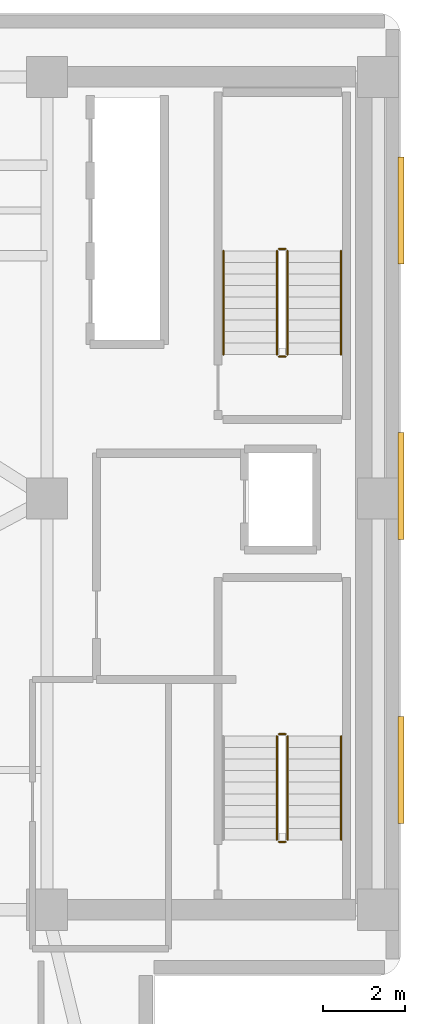
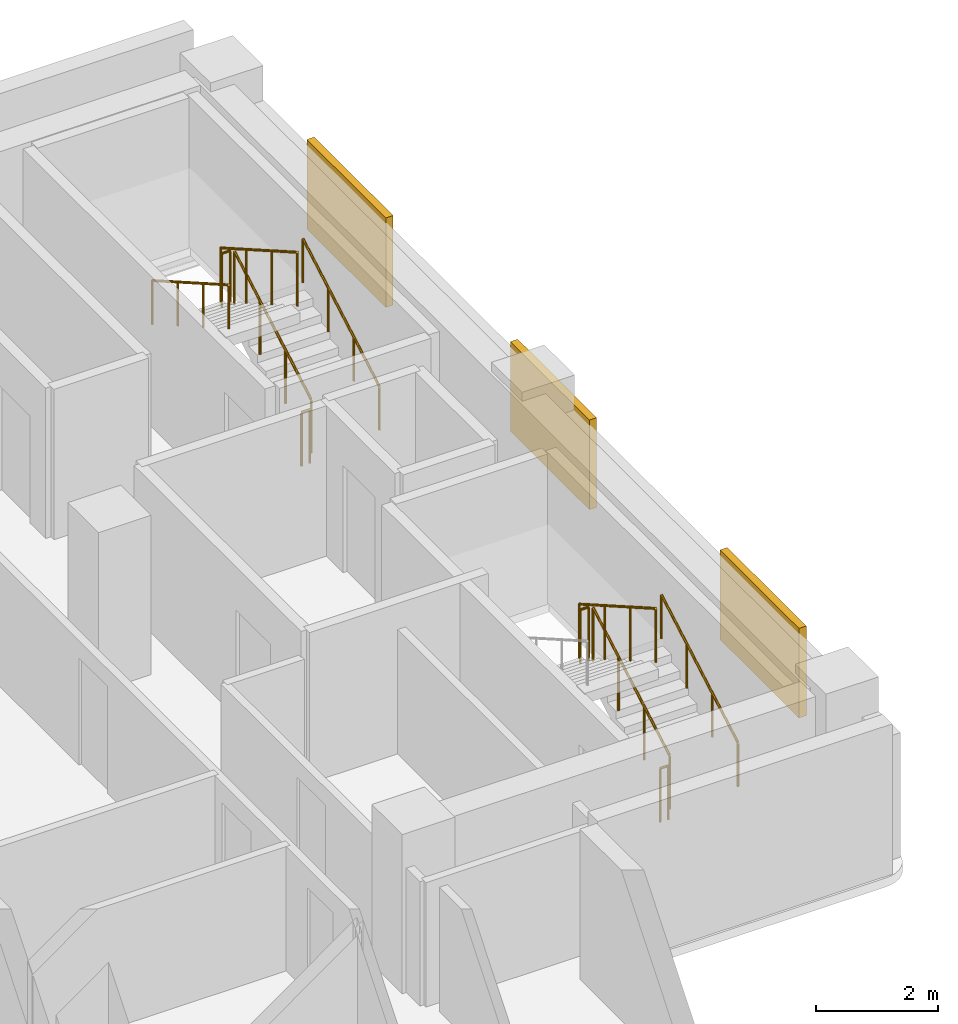
# One storey, part 12 of 12: 11 railings, 3 shading devices.
"""IFC4 building model written with IfcOpenShell, lengths in metres."""

from ifc_helpers import new_model, si_unit, direction, frame, origin, origin_2d, place, context, subcontext, project, spatial, rectangle, circle, extrude, material, layer, layer_set, type_object, element, save


model = new_model("IFC4")

# Units and contexts
model_context = context("Model", 3, precision=1e-05, world=origin(), true_north=direction((0.0, 1.0)))
body_context = subcontext(model_context, "Body", "Model", "MODEL_VIEW")
ifc_project = project(units=[si_unit("LENGTHUNIT", "METRE"), si_unit("AREAUNIT", "SQUARE_METRE"), si_unit("VOLUMEUNIT", "CUBIC_METRE"), si_unit("PLANEANGLEUNIT", "RADIAN"), si_unit("MASSUNIT", "GRAM", prefix="KILO")], contexts=[model_context])

# Site, building, storey
site_placement = place(None, origin())
site = spatial("IfcSite", under=ifc_project, at=site_placement, CompositionType="ELEMENT")
building_placement = place(site_placement, origin())
building = spatial("IfcBuilding", under=site, at=building_placement, Name="Kuzgunbayir Cultural Tower", CompositionType="ELEMENT")
storey_placement = place(building_placement, frame((0.0, 0.0, 30.199951171875)))
storey = spatial("IfcBuildingStorey", under=building, at=storey_placement, Name="L07", CompositionType="ELEMENT", Elevation=30.199951171875)

# Railings
ifc_material_1 = material(Name="Brushed Stainless Steel", Category="steel")
ifc_layer_1 = layer(ifc_material_1, 0.050048828125)
ifc_layer_set_1 = layer_set([ifc_layer_1], Name="Brushed Stainless Steel")
railing_type_1 = type_object("IfcRailingType", Name="RLG-STAIR-HANDRAIL", PredefinedType="HANDRAIL", material=ifc_layer_set_1)
for number, where, name in (
    (1, (71.75, 23.699951171875, 0.16015625), "L07 ST-3 stair handrail 1"),
    (2, (71.75, 35.5, 0.16015625), "L07 ST-4 stair handrail 1"),
):
    element("IfcRailing", number, at=place(storey_placement, frame(where)), inside=storey, type_object=railing_type_1, Name=name, PredefinedType="HANDRAIL", context=body_context, shape_type="SweptSolid", body=[
        extrude(circle(Radius=0.02392578125, at=origin_2d()), frame((0.0, 0.0, 0.8759765625), z_axis=(0.0, 0.868253494771, 0.496120820787), x_axis=(-1.0, 0.0, 0.0)), (0.0, 0.0, 1.0), 2.90234375),
        extrude(circle(Radius=0.02099609375, at=origin_2d()), origin(), (0.0, 0.0, 1.0), 0.851806640625),
        extrude(circle(Radius=0.02099609375, at=origin_2d()), frame((0.0, 0.840087890625, 0.47998046875)), (0.0, 0.0, 1.0), 0.851806640625),
        extrude(circle(Radius=0.02099609375, at=origin_2d()), frame((0.0, 1.679931640625, 0.9599609375)), (0.0, 0.0, 1.0), 0.851806640625),
        extrude(circle(Radius=0.02099609375, at=origin_2d()), frame((0.0, 2.52001953125, 1.43994140625)), (0.0, 0.0, 1.0), 0.851806640625),
    ])
railing_1_placement = place(storey_placement, frame((68.889892578125, 38.02001953125, 1.760009765625)))
element("IfcRailing", 3, at=railing_1_placement, inside=storey, type_object=railing_type_1, Name="L07 ST-4 stair handrail 2", PredefinedType="HANDRAIL", context=body_context, shape_type="SweptSolid", body=[
    extrude(circle(Radius=0.02392578125, at=origin_2d()), frame((0.0, 0.0, 0.8759765625), z_axis=(0.0, -0.868253494771, 0.496120820787), x_axis=(1.0, 0.0, 0.0)), (0.0, 0.0, 1.0), 2.90234375),
    extrude(circle(Radius=0.02099609375, at=origin_2d()), origin(), (0.0, 0.0, 1.0), 0.851806640625),
    extrude(circle(Radius=0.02099609375, at=origin_2d()), frame((0.0, -0.840087890625, 0.47998046875)), (0.0, 0.0, 1.0), 0.851806640625),
    extrude(circle(Radius=0.02099609375, at=origin_2d()), frame((0.0, -1.679931640625, 0.9599609375)), (0.0, 0.0, 1.0), 0.851806640625),
    extrude(circle(Radius=0.02099609375, at=origin_2d()), frame((0.0, -2.52001953125, 1.43994140625)), (0.0, 0.0, 1.0), 0.851806640625),
])
ifc_material_2 = material(Name="Painted Steel Balustrade", Category="steel")
ifc_layer_2 = layer(ifc_material_2, 0.06005859375)
ifc_layer_set_2 = layer_set([ifc_layer_2], Name="Painted Steel Balustrade")
railing_type_2 = type_object("IfcRailingType", Name="RLG-WELL-GUARD", PredefinedType="GUARDRAIL", material=ifc_layer_set_2)
railing_2_placement = place(storey_placement, frame((70.449951171875, 23.699951171875, 0.16015625)))
element("IfcRailing", 4, at=railing_2_placement, inside=storey, type_object=railing_type_2, Name="L07 ST-3 stair guard 1", PredefinedType="GUARDRAIL", context=body_context, shape_type="SweptSolid", body=[
    extrude(circle(Radius=0.02392578125, at=origin_2d()), frame((0.0, 0.0, 1.076171875), z_axis=(0.0, 0.868253494771, 0.496120820787), x_axis=(-1.0, 0.0, 0.0)), (0.0, 0.0, 1.0), 2.90234375),
    extrude(circle(Radius=0.02099609375, at=origin_2d()), origin(), (0.0, 0.0, 1.0), 1.052001953125),
    extrude(circle(Radius=0.02099609375, at=origin_2d()), frame((0.0, 0.840087890625, 0.47998046875)), (0.0, 0.0, 1.0), 1.052001953125),
    extrude(circle(Radius=0.02099609375, at=origin_2d()), frame((0.0, 1.679931640625, 0.9599609375)), (0.0, 0.0, 1.0), 1.052001953125),
    extrude(circle(Radius=0.02099609375, at=origin_2d()), frame((0.0, 2.52001953125, 1.43994140625)), (0.0, 0.0, 1.0), 1.052001953125),
])
railing_3_placement = place(storey_placement, frame((70.39990234375, 26.27001953125, 1.60009765625)))
element("IfcRailing", 5, at=railing_3_placement, inside=storey, type_object=railing_type_2, Name="L07 ST-3 stair guard 2", PredefinedType="GUARDRAIL", context=body_context, shape_type="SweptSolid", body=[
    extrude(circle(Radius=0.02392578125, at=origin_2d()), frame((0.0, 0.0, 1.076171875), z_axis=(-1.0, 0.0, 0.0), x_axis=(0.0, -1.0, 0.0)), (0.0, 0.0, 1.0), 0.159912109375),
    extrude(circle(Radius=0.02099609375, at=origin_2d()), origin(), (0.0, 0.0, 1.0), 1.052001953125),
    extrude(circle(Radius=0.02099609375, at=origin_2d()), frame((-0.159912109375, 0.0, 0.0)), (0.0, 0.0, 1.0), 1.052001953125),
])
railing_4_placement = place(storey_placement, frame((70.18994140625, 26.219970703125, 1.760009765625)))
element("IfcRailing", 6, at=railing_4_placement, inside=storey, type_object=railing_type_2, Name="L07 ST-3 stair guard 3", PredefinedType="GUARDRAIL", context=body_context, shape_type="SweptSolid", body=[
    extrude(circle(Radius=0.02392578125, at=origin_2d()), frame((0.0, 0.0, 1.076171875), z_axis=(0.0, -0.868253494771, 0.496120820787), x_axis=(1.0, 0.0, 0.0)), (0.0, 0.0, 1.0), 2.90234375),
    extrude(circle(Radius=0.02099609375, at=origin_2d()), origin(), (0.0, 0.0, 1.0), 1.052001953125),
    extrude(circle(Radius=0.02099609375, at=origin_2d()), frame((0.0, -0.840087890625, 0.47998046875)), (0.0, 0.0, 1.0), 1.052001953125),
    extrude(circle(Radius=0.02099609375, at=origin_2d()), frame((0.0, -1.679931640625, 0.9599609375)), (0.0, 0.0, 1.0), 1.052001953125),
    extrude(circle(Radius=0.02099609375, at=origin_2d()), frame((0.0, -2.52001953125, 1.43994140625)), (0.0, 0.0, 1.0), 1.052001953125),
])
railing_5_placement = place(storey_placement, frame((70.39990234375, 23.64990234375, 0.0)))
element("IfcRailing", 7, at=railing_5_placement, inside=storey, type_object=railing_type_2, Name="L07 ST-3 stair guard 4", PredefinedType="GUARDRAIL", context=body_context, shape_type="SweptSolid", body=[
    extrude(circle(Radius=0.02392578125, at=origin_2d()), frame((0.0, 0.0, 1.076171875), z_axis=(-1.0, 0.0, 0.0), x_axis=(0.0, -1.0, 0.0)), (0.0, 0.0, 1.0), 0.159912109375),
    extrude(circle(Radius=0.02099609375, at=origin_2d()), origin(), (0.0, 0.0, 1.0), 1.052001953125),
    extrude(circle(Radius=0.02099609375, at=origin_2d()), frame((-0.159912109375, 0.0, 0.0)), (0.0, 0.0, 1.0), 1.052001953125),
])
railing_6_placement = place(storey_placement, frame((70.449951171875, 35.5, 0.16015625)))
element("IfcRailing", 8, at=railing_6_placement, inside=storey, type_object=railing_type_2, Name="L07 ST-4 stair guard 1", PredefinedType="GUARDRAIL", context=body_context, shape_type="SweptSolid", body=[
    extrude(circle(Radius=0.02392578125, at=origin_2d()), frame((0.0, 0.0, 1.076171875), z_axis=(0.0, 0.868253494771, 0.496120820787), x_axis=(-1.0, 0.0, 0.0)), (0.0, 0.0, 1.0), 2.90234375),
    extrude(circle(Radius=0.02099609375, at=origin_2d()), origin(), (0.0, 0.0, 1.0), 1.052001953125),
    extrude(circle(Radius=0.02099609375, at=origin_2d()), frame((0.0, 0.840087890625, 0.47998046875)), (0.0, 0.0, 1.0), 1.052001953125),
    extrude(circle(Radius=0.02099609375, at=origin_2d()), frame((0.0, 1.679931640625, 0.9599609375)), (0.0, 0.0, 1.0), 1.052001953125),
    extrude(circle(Radius=0.02099609375, at=origin_2d()), frame((0.0, 2.52001953125, 1.43994140625)), (0.0, 0.0, 1.0), 1.052001953125),
])
railing_7_placement = place(storey_placement, frame((70.39990234375, 38.070068359375, 1.60009765625)))
element("IfcRailing", 9, at=railing_7_placement, inside=storey, type_object=railing_type_2, Name="L07 ST-4 stair guard 2", PredefinedType="GUARDRAIL", context=body_context, shape_type="SweptSolid", body=[
    extrude(circle(Radius=0.02392578125, at=origin_2d()), frame((0.0, 0.0, 1.076171875), z_axis=(-1.0, 0.0, 0.0), x_axis=(0.0, -1.0, 0.0)), (0.0, 0.0, 1.0), 0.159912109375),
    extrude(circle(Radius=0.02099609375, at=origin_2d()), origin(), (0.0, 0.0, 1.0), 1.052001953125),
    extrude(circle(Radius=0.02099609375, at=origin_2d()), frame((-0.159912109375, 0.0, 0.0)), (0.0, 0.0, 1.0), 1.052001953125),
])
railing_8_placement = place(storey_placement, frame((70.18994140625, 38.02001953125, 1.760009765625)))
element("IfcRailing", 10, at=railing_8_placement, inside=storey, type_object=railing_type_2, Name="L07 ST-4 stair guard 3", PredefinedType="GUARDRAIL", context=body_context, shape_type="SweptSolid", body=[
    extrude(circle(Radius=0.02392578125, at=origin_2d()), frame((0.0, 0.0, 1.076171875), z_axis=(0.0, -0.868253494771, 0.496120820787), x_axis=(1.0, 0.0, 0.0)), (0.0, 0.0, 1.0), 2.90234375),
    extrude(circle(Radius=0.02099609375, at=origin_2d()), origin(), (0.0, 0.0, 1.0), 1.052001953125),
    extrude(circle(Radius=0.02099609375, at=origin_2d()), frame((0.0, -0.840087890625, 0.47998046875)), (0.0, 0.0, 1.0), 1.052001953125),
    extrude(circle(Radius=0.02099609375, at=origin_2d()), frame((0.0, -1.679931640625, 0.9599609375)), (0.0, 0.0, 1.0), 1.052001953125),
    extrude(circle(Radius=0.02099609375, at=origin_2d()), frame((0.0, -2.52001953125, 1.43994140625)), (0.0, 0.0, 1.0), 1.052001953125),
])
railing_9_placement = place(storey_placement, frame((70.39990234375, 35.449951171875, 0.0)))
element("IfcRailing", 11, at=railing_9_placement, inside=storey, type_object=railing_type_2, Name="L07 ST-4 stair guard 4", PredefinedType="GUARDRAIL", context=body_context, shape_type="SweptSolid", body=[
    extrude(circle(Radius=0.02392578125, at=origin_2d()), frame((0.0, 0.0, 1.076171875), z_axis=(-1.0, 0.0, 0.0), x_axis=(0.0, -1.0, 0.0)), (0.0, 0.0, 1.0), 0.159912109375),
    extrude(circle(Radius=0.02099609375, at=origin_2d()), origin(), (0.0, 0.0, 1.0), 1.052001953125),
    extrude(circle(Radius=0.02099609375, at=origin_2d()), frame((-0.159912109375, 0.0, 0.0)), (0.0, 0.0, 1.0), 1.052001953125),
])

# Shading devices
ifc_material_3 = material(Name="Perforated Bronze-Anodised Aluminium", Category="aluminium")
shading_device_type = type_object("IfcShadingDeviceType", Name="SHD-SOLAR-BRONZE", PredefinedType="JALOUSIE", material=ifc_material_3)
for number, where, z_axis, x_axis, name in (
    (12, (73.2099609375, 25.39990234375, 0.7998046875), (0.0, 0.0, 1.0), (1.0, 0.0, 0.0), "L07 Companion East Bronze Solar Screen 25"),
    (13, (73.2099609375, 32.300048828125, 0.7998046875), (0.0, 0.0, 1.0), (1.0, 0.0, 0.0), "L07 Companion East Bronze Solar Screen 32"),
    (14, (73.2099609375, 39.0, 0.7998046875), (0.0, 0.0, 1.0), (1.0, 0.0, 0.0), "L07 Companion East Bronze Solar Screen 39"),
):
    element("IfcShadingDevice", number, at=place(storey_placement, frame(where, z_axis=z_axis, x_axis=x_axis)), inside=storey, type_object=shading_device_type, Name=name, PredefinedType="JALOUSIE", context=body_context, shape_type="SweptSolid", body=[
        extrude(rectangle(XDim=0.139892578125, YDim=2.60009765625, at=origin_2d()), origin(), (0.0, 0.0, 1.0), 1.800048828125),
    ])

save(model, "model.ifc")
